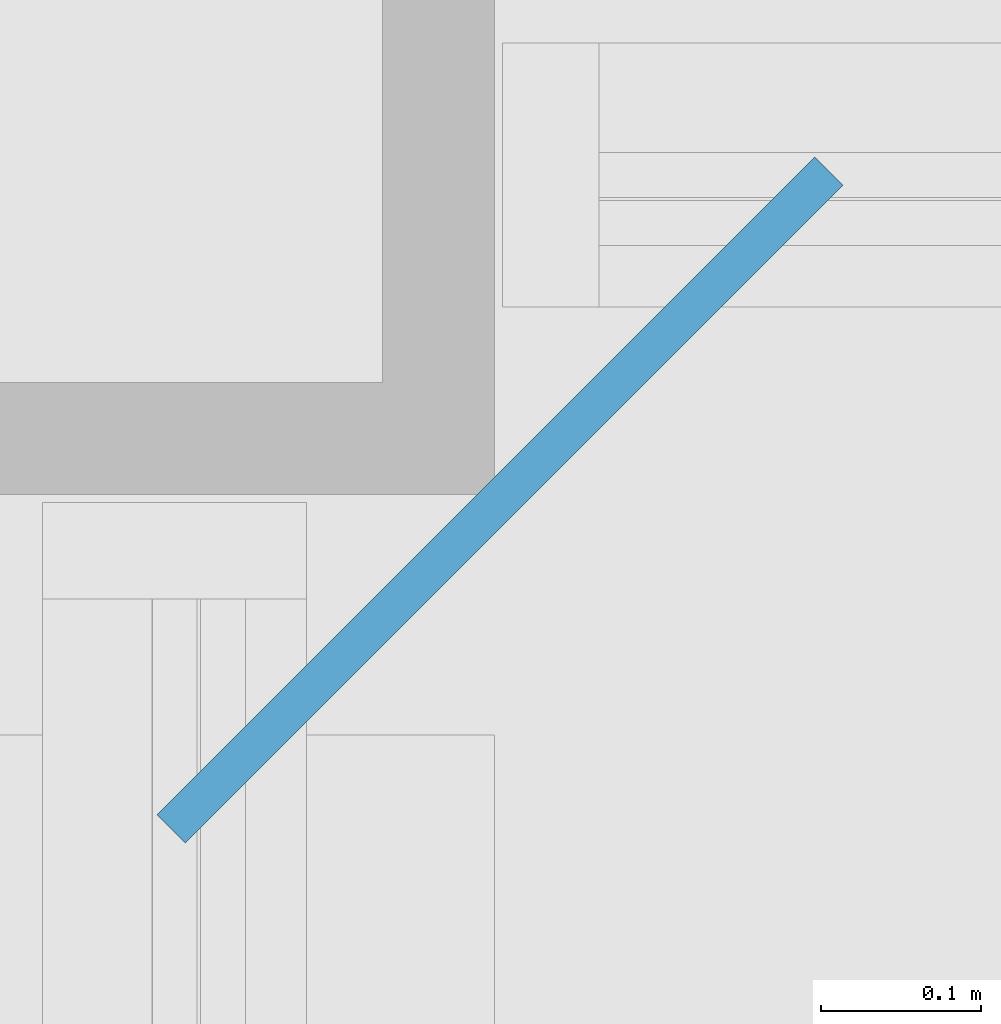
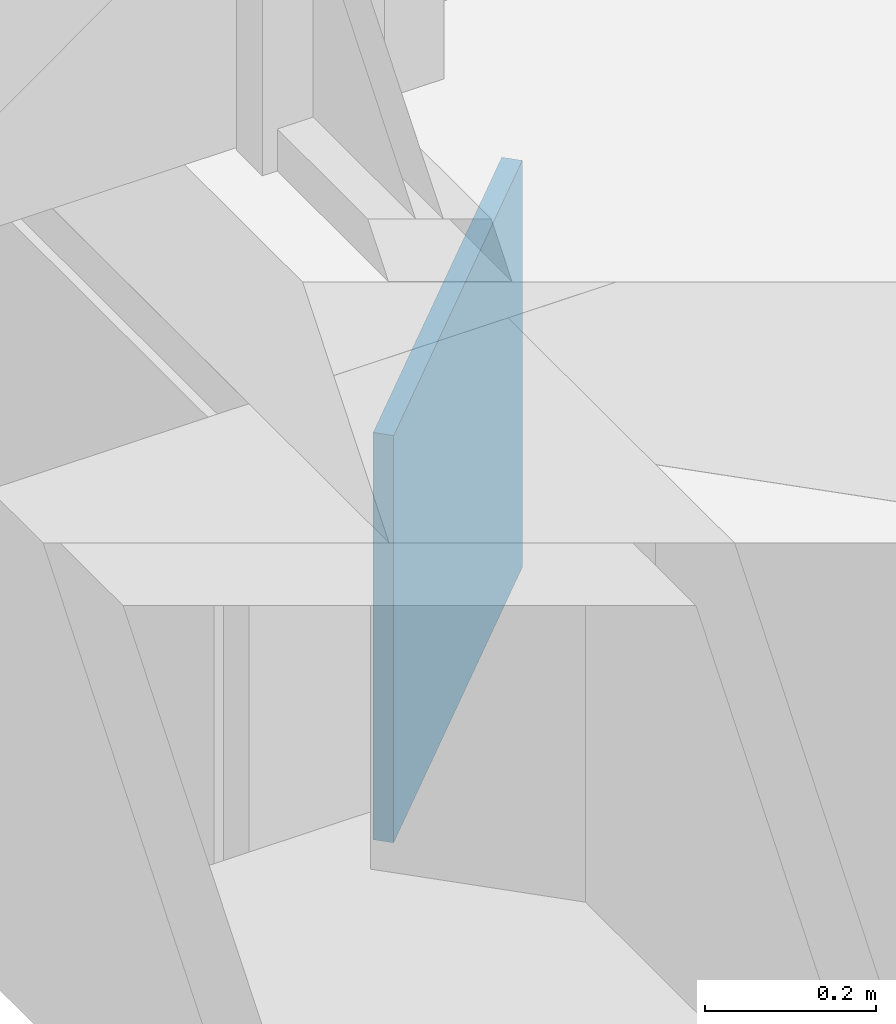
# One storey, part 19 of 29: 1 plate.
"""IFC4 building model written with IfcOpenShell, lengths in metres."""

from ifc_helpers import new_model, si_unit, direction, frame, origin, origin_2d, place, context, subcontext, project, spatial, rectangle, extrude, material, layer, layer_set, type_object, element, save


model = new_model("IFC4")

# Units and contexts
model_context = context("Model", 3, precision=1e-05, world=origin(), true_north=direction((0.0, 1.0)))
body_context = subcontext(model_context, "Body", "Model", "MODEL_VIEW")
ifc_project = project(units=[si_unit("LENGTHUNIT", "METRE"), si_unit("AREAUNIT", "SQUARE_METRE"), si_unit("VOLUMEUNIT", "CUBIC_METRE"), si_unit("PLANEANGLEUNIT", "RADIAN"), si_unit("MASSUNIT", "GRAM", prefix="KILO")], contexts=[model_context])

# Site, building, storey
site_placement = place(None, origin())
site = spatial("IfcSite", under=ifc_project, at=site_placement, CompositionType="ELEMENT")
building_placement = place(site_placement, origin())
building = spatial("IfcBuilding", under=site, at=building_placement, Name="Kopane Lantern Tower", CompositionType="ELEMENT")
storey_placement = place(building_placement, frame((0.0, 0.0, 165.0)))
storey = spatial("IfcBuildingStorey", under=building, at=storey_placement, Name="L42", CompositionType="ELEMENT", Elevation=165.0)

# Plate
ifc_material = material(Name="Steel S355JR", Category="steel")
ifc_layer = layer(ifc_material, 0.02490234375)
ifc_layer_set = layer_set([ifc_layer], Name="STEEL END CAP PLATE PL25")
plate_type = type_object("IfcPlateType", Name="STEEL END CAP PLATE PL25", PredefinedType="USERDEFINED", material=ifc_layer_set)
plate_placement = place(storey_placement, frame((4.4033203125, 54.996826171875, -0.890625), z_axis=(0.0, 0.0, 1.0), x_axis=(-0.707106781187, 0.707106781187, 0.0)))
element("IfcPlate", 1, at=plate_placement, inside=storey, type_object=plate_type, Name="Corner tie beam end cap plate L42", ObjectType="PLATE", PredefinedType="USERDEFINED", context=body_context, shape_type="SweptSolid", body=[
    extrude(rectangle(XDim=0.02490234375, YDim=0.5810546875, at=origin_2d()), origin(), (0.0, 0.0, 1.0), 0.5810546875),
])

save(model, "model.ifc")
